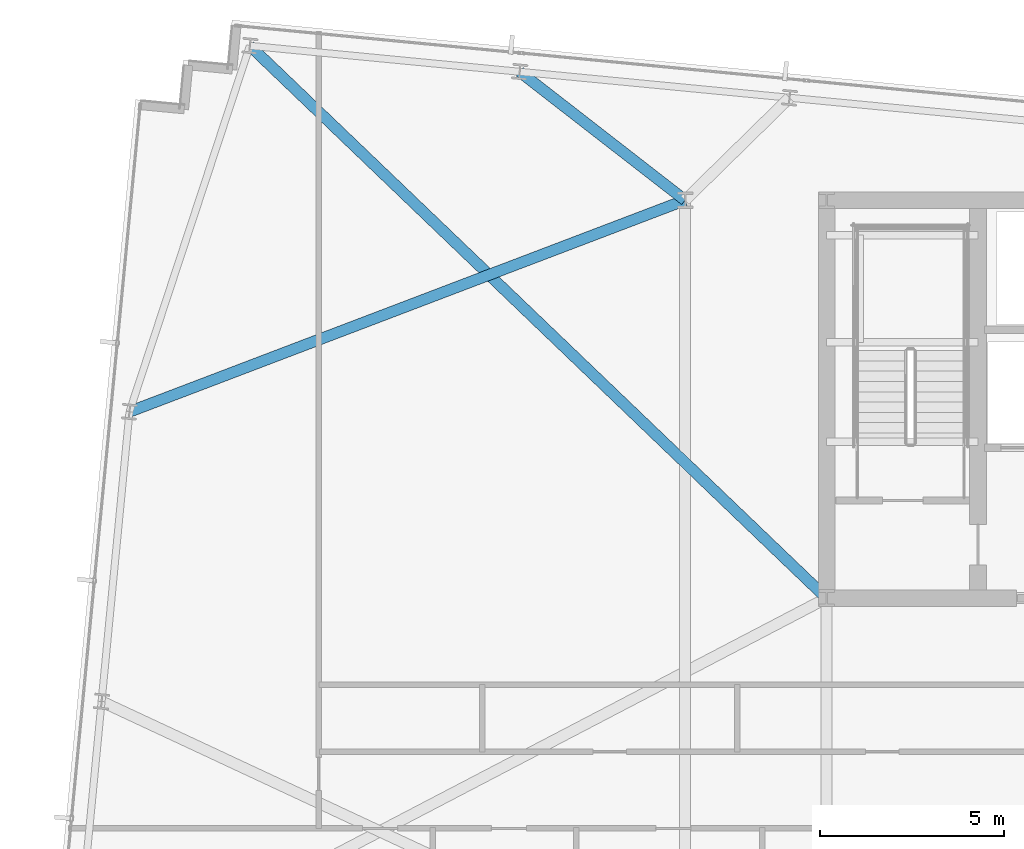
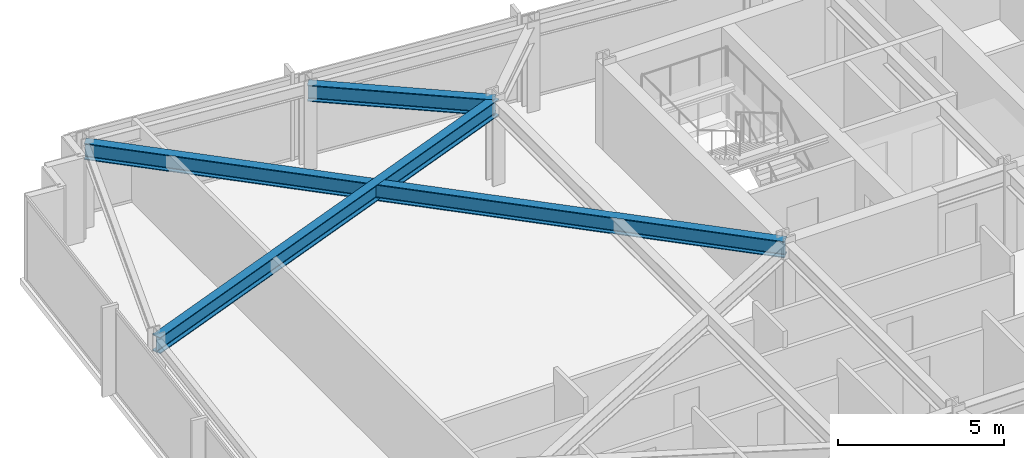
# One storey, part 22 of 38: 3 beams.
"""IFC4 building model written with IfcOpenShell, lengths in metres."""

from ifc_helpers import new_model, si_unit, direction, frame, origin, origin_2d, place, context, subcontext, project, spatial, i_section, extrude, material, material_profile, profile_set, type_object, element, save


model = new_model("IFC4")

# Units and contexts
model_context = context("Model", 3, precision=1e-05, world=origin(), true_north=direction((0.0, 1.0)))
body_context = subcontext(model_context, "Body", "Model", "MODEL_VIEW")
ifc_project = project(units=[si_unit("LENGTHUNIT", "METRE"), si_unit("AREAUNIT", "SQUARE_METRE"), si_unit("VOLUMEUNIT", "CUBIC_METRE"), si_unit("PLANEANGLEUNIT", "RADIAN"), si_unit("MASSUNIT", "GRAM", prefix="KILO")], contexts=[model_context])

# Site, building, storey
site_placement = place(None, origin())
site = spatial("IfcSite", under=ifc_project, at=site_placement, CompositionType="ELEMENT")
building_placement = place(site_placement, origin())
building = spatial("IfcBuilding", under=site, at=building_placement, Name="Yelkora Congress Tower", CompositionType="ELEMENT")
storey_placement = place(building_placement, frame((0.0, 0.0, 178.699951171875)))
storey = spatial("IfcBuildingStorey", under=building, at=storey_placement, Name="L49", CompositionType="ELEMENT", Elevation=178.699951171875)

# Beams
ifc_material = material(Name="Steel S355J2", Category="steel")
ifc_material_profile = material_profile(ifc_material, i_section(OverallWidth=0.300048828125, OverallDepth=0.60009765625, WebThickness=0.015380859375, FlangeThickness=0.030029296875, FilletRadius=0.027099609375, at=origin_2d()), Name="HEB 600")
ifc_profile_set = profile_set([ifc_material_profile], Name="Steel S355J2")
beam_type = type_object("IfcBeamType", Name="BM-GIRD-HEB600", PredefinedType="BEAM", material=ifc_profile_set)
beam_1_placement = place(storey_placement, frame((7.388916015625, 50.390625, 2.780029296875), z_axis=(0.722178809531, -0.691706416816, 0.0), x_axis=(0.691706416816, 0.722178809531, 0.0)))
element("IfcBeam", 1, at=beam_1_placement, inside=storey, type_object=beam_type, Name="L49 Primary Frame Girder N01", PredefinedType="BEAM", context=body_context, shape_type="SweptSolid", body=[
    extrude(i_section(OverallWidth=0.300048828125, OverallDepth=0.60009765625, WebThickness=0.015380859375, FlangeThickness=0.030029296875, FilletRadius=0.027099609375, at=origin_2d()), origin(), (0.0, 0.0, 1.0), 21.672119140625),
])
beam_2_placement = place(storey_placement, frame((14.712158203125, 49.685546875, 2.780029296875), z_axis=(0.789770770989, -0.6134020943, 0.0), x_axis=(0.6134020943, 0.789770770989, 0.0)))
element("IfcBeam", 2, at=beam_2_placement, inside=storey, type_object=beam_type, Name="L49 Primary Frame Girder N02", PredefinedType="BEAM", context=body_context, shape_type="SweptSolid", body=[
    extrude(i_section(OverallWidth=0.300048828125, OverallDepth=0.60009765625, WebThickness=0.015380859375, FlangeThickness=0.030029296875, FilletRadius=0.027099609375, at=origin_2d()), origin(), (0.0, 0.0, 1.0), 5.682373046875),
])
beam_3_placement = place(storey_placement, frame((4.121826171875, 40.4580078125, 2.780029296875), z_axis=(0.934531115392, 0.355881433013, 0.0), x_axis=(-0.355881433013, 0.934531115392, 0.0)))
element("IfcBeam", 3, at=beam_3_placement, inside=storey, type_object=beam_type, Name="L49 Primary Frame Girder W03", PredefinedType="BEAM", context=body_context, shape_type="SweptSolid", body=[
    extrude(i_section(OverallWidth=0.300048828125, OverallDepth=0.60009765625, WebThickness=0.015380859375, FlangeThickness=0.030029296875, FilletRadius=0.027099609375, at=origin_2d()), origin(), (0.0, 0.0, 1.0), 16.134521484375),
])

save(model, "model.ifc")
